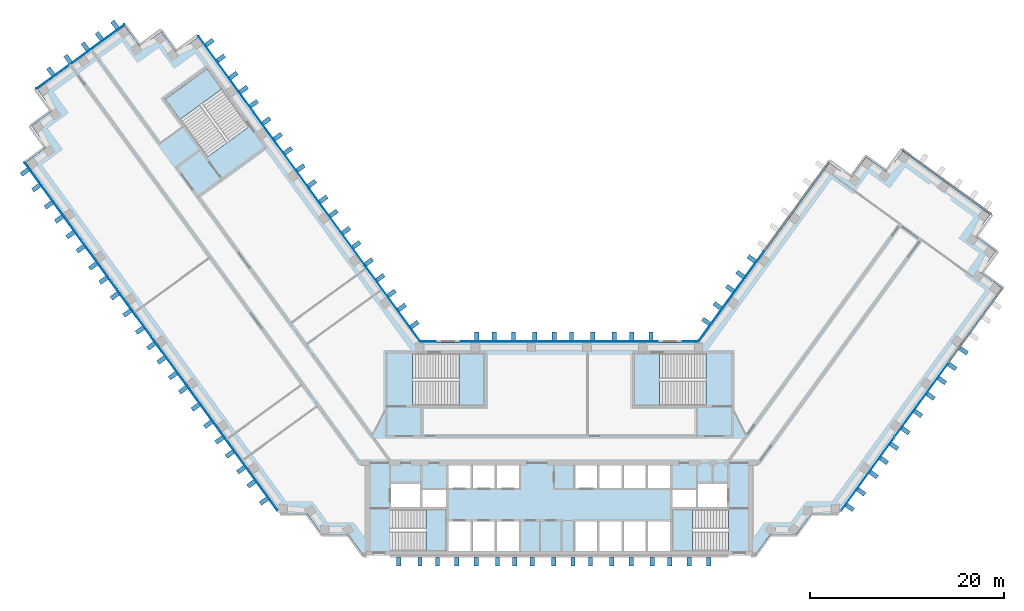
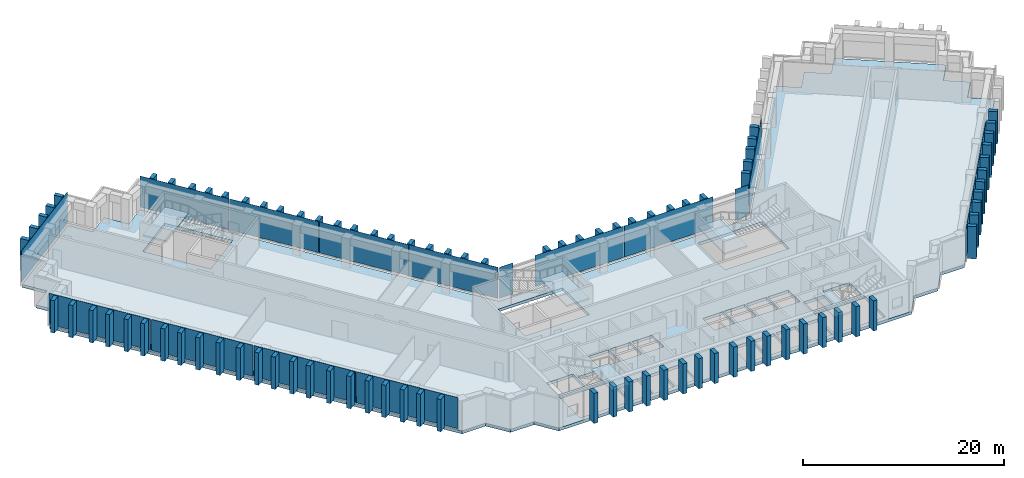
"""IFC4 building model written with IfcOpenShell, lengths in metres."""

from ifc_helpers import new_model, si_unit, direction, frame, origin, origin_2d, place, context, subcontext, project, spatial, polyline, rectangle, outline, extrude, material, layer, layer_set, type_object, element, aggregate, save


model = new_model("IFC4")

# Units and contexts
model_context = context("Model", 3, precision=1e-05, world=origin(), true_north=direction((0.0, 1.0)))
body_context = subcontext(model_context, "Body", "Model", "MODEL_VIEW")
ifc_project = project(units=[si_unit("LENGTHUNIT", "METRE"), si_unit("AREAUNIT", "SQUARE_METRE"), si_unit("VOLUMEUNIT", "CUBIC_METRE"), si_unit("PLANEANGLEUNIT", "RADIAN"), si_unit("MASSUNIT", "GRAM", prefix="KILO")], contexts=[model_context])

# Site, building, storey
site_placement = place(None, origin())
site = spatial("IfcSite", under=ifc_project, at=site_placement, CompositionType="ELEMENT")
building_placement = place(site_placement, origin())
building = spatial("IfcBuilding", under=site, at=building_placement, Name="Quipu Civic Tower", CompositionType="ELEMENT")
storey_1_placement = place(building_placement, frame((0.0, 0.0, 85.0)))
storey_1 = spatial("IfcBuildingStorey", under=building, at=storey_1_placement, Name="L19", CompositionType="ELEMENT", Elevation=85.0)

# Slab
ifc_material_1 = material(Name="Concrete C40/50", Category="concrete")
ifc_layer_1 = layer(ifc_material_1, 0.35009765625)
ifc_layer_set_1 = layer_set([ifc_layer_1], Name="Concrete C40/50")
slab_type_1 = type_object("IfcSlabType", Name="Floor slab 350 C40/50", PredefinedType="FLOOR", material=ifc_layer_set_1)
slab_1_placement = place(storey_1_placement, frame((0.0, 0.0, -0.35009765625)))
element("IfcSlab", 1, at=slab_1_placement, inside=storey_1, type_object=slab_type_1, Name="Floor slab L19", PredefinedType="FLOOR", context=body_context, shape_type="SweptSolid", body=[
    extrude(outline(polyline([(27.909912109375, 29.60498046875), (30.094970703125, 28.014892578125), (31.68505859375, 30.199951171875), (33.864990234375, 28.614990234375), (35.455078125, 30.800048828125), (44.514892578125, 24.215087890625), (42.929931640625, 22.030029296875), (45.114990234375, 20.445068359375), (43.52490234375, 18.260009765625), (45.7099609375, 16.669921875), (28.780029296875, -6.6298828125), (26.080078125, -6.6298828125), (24.489990234375, -8.81494140625), (21.7900390625, -8.81494140625), (20.205078125, -11.0), (-20.205078125, -11.0), (-21.7900390625, -8.81494140625), (-24.489990234375, -8.81494140625), (-26.080078125, -6.6298828125), (-28.780029296875, -6.6298828125), (-55.114990234375, 29.614990234375), (-52.929931640625, 31.205078125), (-54.514892578125, 33.389892578125), (-52.3349609375, 34.97509765625), (-53.919921875, 37.159912109375), (-44.860107421875, 43.739990234375), (-43.27001953125, 41.56005859375), (-41.0849609375, 43.14501953125), (-39.5, 40.9599609375), (-37.31494140625, 42.550048828125), (-14.39501953125, 11.0), (14.39501953125, 11.0), (27.909912109375, 29.60498046875)]), holes=[polyline([(-11.449951171875, -7.5), (-11.449951171875, -10.5), (-9.14990234375, -10.5), (-9.14990234375, -7.5), (-11.449951171875, -7.5)]), polyline([(-8.949951171875, -7.5), (-8.949951171875, -10.5), (-6.64990234375, -10.5), (-6.64990234375, -7.5), (-8.949951171875, -7.5)]), polyline([(-6.449951171875, -7.5), (-6.449951171875, -10.5), (-4.14990234375, -10.5), (-4.14990234375, -7.5), (-6.449951171875, -7.5)]), polyline([(-11.705078125, -10.4951171875), (-11.705078125, -6.2548828125), (-17.4951171875, -6.2548828125), (-17.4951171875, -10.4951171875), (-11.705078125, -10.4951171875)]), polyline([(-11.699951171875, -4.25), (-14.10009765625, -4.25), (-14.10009765625, -6.0), (-11.699951171875, -6.0), (-11.699951171875, -4.25)]), polyline([(-17.35009765625, -3.60009765625), (-17.35009765625, -6.0), (-14.35009765625, -6.0), (-14.35009765625, -3.60009765625), (-17.35009765625, -3.60009765625)]), polyline([(-9.14990234375, -1.699951171875), (-11.449951171875, -1.699951171875), (-11.449951171875, -4.0), (-9.14990234375, -4.0), (-9.14990234375, -1.699951171875)]), polyline([(-6.64990234375, -1.699951171875), (-8.949951171875, -1.699951171875), (-8.949951171875, -4.0), (-6.64990234375, -4.0), (-6.64990234375, -1.699951171875)]), polyline([(-6.449951171875, -1.699951171875), (-6.449951171875, -4.0), (-4.14990234375, -4.0), (-4.14990234375, -1.699951171875), (-6.449951171875, -1.699951171875)]), polyline([(3.949951171875, -1.699951171875), (1.64990234375, -1.699951171875), (1.64990234375, -4.0), (3.949951171875, -4.0), (3.949951171875, -1.699951171875)]), polyline([(-7.7548828125, 4.5048828125), (-7.7548828125, 9.844970703125), (-15.14501953125, 9.844970703125), (-15.14501953125, 4.5048828125), (-7.7548828125, 4.5048828125)]), polyline([(-40.68505859375, 36.135009765625), (-36.344970703125, 30.159912109375), (-32.02490234375, 33.300048828125), (-36.364990234375, 39.27490234375), (-40.68505859375, 36.135009765625)]), polyline([(3.949951171875, -7.5), (1.64990234375, -7.5), (1.64990234375, -10.5), (3.949951171875, -10.5), (3.949951171875, -7.5)]), polyline([(6.449951171875, -7.5), (4.14990234375, -7.5), (4.14990234375, -10.5), (6.449951171875, -10.5), (6.449951171875, -7.5)]), polyline([(6.64990234375, -7.5), (6.64990234375, -10.5), (8.949951171875, -10.5), (8.949951171875, -7.5), (6.64990234375, -7.5)]), polyline([(11.449951171875, -7.5), (9.14990234375, -7.5), (9.14990234375, -10.5), (11.449951171875, -10.5), (11.449951171875, -7.5)]), polyline([(11.705078125, -6.2548828125), (11.705078125, -10.4951171875), (17.4951171875, -10.4951171875), (17.4951171875, -6.2548828125), (11.705078125, -6.2548828125)]), polyline([(11.699951171875, -4.25), (11.699951171875, -6.0), (14.10009765625, -6.0), (14.10009765625, -4.25), (11.699951171875, -4.25)]), polyline([(17.35009765625, -3.60009765625), (14.35009765625, -3.60009765625), (14.35009765625, -6.0), (17.35009765625, -6.0), (17.35009765625, -3.60009765625)]), polyline([(6.449951171875, -1.699951171875), (4.14990234375, -1.699951171875), (4.14990234375, -4.0), (6.449951171875, -4.0), (6.449951171875, -1.699951171875)]), polyline([(6.64990234375, -1.699951171875), (6.64990234375, -4.0), (8.949951171875, -4.0), (8.949951171875, -1.699951171875), (6.64990234375, -1.699951171875)]), polyline([(11.449951171875, -1.699951171875), (9.14990234375, -1.699951171875), (9.14990234375, -4.0), (11.449951171875, -4.0), (11.449951171875, -1.699951171875)]), polyline([(7.7548828125, 9.844970703125), (7.7548828125, 4.5048828125), (15.14501953125, 4.5048828125), (15.14501953125, 9.844970703125), (7.7548828125, 9.844970703125)])]), origin(), (0.0, 0.0, 1.0), 0.35009765625),
])

# Curtain wall, plates
ifc_material_2 = material(Name="Insulated glass unit", Category="glass")
curtain_wall_type = type_object("IfcCurtainWallType", Name="Office curtain wall CW1", PredefinedType="NOTDEFINED", material=ifc_material_2)
curtain_wall_1_placement = place(storey_1_placement, origin())
curtain_wall_1 = element("IfcCurtainWall", 2, at=curtain_wall_1_placement, inside=storey_1, type_object=curtain_wall_type, Name="Office curtain wall CW1 L19 run 1", PredefinedType="NOTDEFINED")
ifc_material_3 = material(Name="Insulated glass unit", Category="glass")
ifc_layer_2 = layer(ifc_material_3, 0.028076171875)
ifc_layer_set_2 = layer_set([ifc_layer_2], Name="Insulated glass unit")
plate_type_1 = type_object("IfcPlateType", Name="Glass panel CW1", PredefinedType="CURTAIN_PANEL", material=ifc_layer_set_2)
plate_1_placement = place(storey_1_placement, frame((31.86669921875, -2.551513671875, 0.240234375), z_axis=(0.0, 0.0, 1.0), x_axis=(0.587785375786, 0.809016904652, 0.0)))
plate_1 = element("IfcPlate", 3, at=plate_1_placement, type_object=plate_type_1, Name="CW1 panel 1.1", PredefinedType="CURTAIN_PANEL", context=body_context, shape_type="SweptSolid", body=[
    extrude(rectangle(XDim=9.403564453125, YDim=0.028076171875, at=origin_2d()), origin(), (0.0, 0.0, 1.0), 3.679931640625),
])
plate_2_placement = place(storey_1_placement, frame((37.45263671875, 5.13720703125, 0.240234375), z_axis=(0.0, 0.0, 1.0), x_axis=(0.587785375786, 0.809016904652, 0.0)))
plate_2 = element("IfcPlate", 4, at=plate_2_placement, type_object=plate_type_1, Name="CW1 panel 2.1", PredefinedType="CURTAIN_PANEL", context=body_context, shape_type="SweptSolid", body=[
    extrude(rectangle(XDim=9.443603515625, YDim=0.028076171875, at=origin_2d()), origin(), (0.0, 0.0, 1.0), 3.679931640625),
])
aggregate(curtain_wall_1, [plate_1, plate_2])

# Storey
storey_2_placement = place(building_placement, frame((0.0, 0.0, 89.0)))
storey_2 = spatial("IfcBuildingStorey", under=building, at=storey_2_placement, Name="L20", CompositionType="ELEMENT", Elevation=89.0)

# Curtain wall, plate
curtain_wall_2_placement = place(storey_2_placement, origin())
curtain_wall_2 = element("IfcCurtainWall", 5, at=curtain_wall_2_placement, inside=storey_2, type_object=curtain_wall_type, Name="Office curtain wall CW1 L19 run 11", PredefinedType="NOTDEFINED")
plate_3_placement = place(storey_1_placement, frame((17.7421875, 15.777099609375, 0.240234375), z_axis=(0.0, 0.0, 1.0), x_axis=(-0.587788727052, -0.809014469803, 0.0)))
plate_3 = element("IfcPlate", 6, at=plate_3_placement, inside=storey_1, type_object=plate_type_1, Name="CW1 panel 2.1", PredefinedType="CURTAIN_PANEL", context=body_context, shape_type="SweptSolid", body=[
    extrude(rectangle(XDim=11.402099609375, YDim=0.028076171875, at=origin_2d()), origin(), (0.0, 0.0, 1.0), 3.760009765625),
])
aggregate(curtain_wall_2, [plate_3])

curtain_wall_3_placement = place(storey_2_placement, origin())
curtain_wall_3 = element("IfcCurtainWall", 7, at=curtain_wall_3_placement, inside=storey_2, type_object=curtain_wall_type, Name="Office curtain wall CW1 L19 run 12", PredefinedType="NOTDEFINED")
plate_4_placement = place(storey_1_placement, frame((13.49951171875, 11.10009765625, 0.240234375), z_axis=(0.0, 0.0, 1.0), x_axis=(-1.0, 0.0, 0.0)))
plate_4 = element("IfcPlate", 8, at=plate_4_placement, inside=storey_1, type_object=plate_type_1, Name="CW1 panel 1.1", PredefinedType="CURTAIN_PANEL", context=body_context, shape_type="SweptSolid", body=[
    extrude(rectangle(XDim=1.529296875, YDim=0.028076171875, at=origin_2d()), origin(), (0.0, 0.0, 1.0), 3.760009765625),
])
aggregate(curtain_wall_3, [plate_4])

# Curtain wall, plates
curtain_wall_4_placement = place(storey_2_placement, origin())
curtain_wall_4 = element("IfcCurtainWall", 9, at=curtain_wall_4_placement, inside=storey_2, type_object=curtain_wall_type, Name="Office curtain wall CW1 L19 run 14", PredefinedType="NOTDEFINED")
plate_5_placement = place(storey_1_placement, frame((5.11181640625, 11.10009765625, 0.240234375), z_axis=(0.0, 0.0, 1.0), x_axis=(-1.0, 0.0, 0.0)))
plate_5 = element("IfcPlate", 10, at=plate_5_placement, inside=storey_1, type_object=plate_type_1, Name="CW1 panel 1.1", PredefinedType="CURTAIN_PANEL", context=body_context, shape_type="SweptSolid", body=[
    extrude(rectangle(XDim=10.1435546875, YDim=0.028076171875, at=origin_2d()), origin(), (0.0, 0.0, 1.0), 3.760009765625),
])
plate_6_placement = place(storey_1_placement, frame((-5.11181640625, 11.10009765625, 0.240234375), z_axis=(0.0, 0.0, 1.0), x_axis=(-1.0, 0.0, 0.0)))
plate_6 = element("IfcPlate", 11, at=plate_6_placement, inside=storey_1, type_object=plate_type_1, Name="CW1 panel 2.1", PredefinedType="CURTAIN_PANEL", context=body_context, shape_type="SweptSolid", body=[
    extrude(rectangle(XDim=10.1435546875, YDim=0.028076171875, at=origin_2d()), origin(), (0.0, 0.0, 1.0), 3.760009765625),
])
aggregate(curtain_wall_4, [plate_5, plate_6])

# Curtain wall, plate
curtain_wall_5_placement = place(storey_2_placement, origin())
curtain_wall_5 = element("IfcCurtainWall", 12, at=curtain_wall_5_placement, inside=storey_2, type_object=curtain_wall_type, Name="Office curtain wall CW1 L19 run 16", PredefinedType="NOTDEFINED")
plate_7_placement = place(storey_1_placement, frame((-13.49951171875, 11.10009765625, 0.240234375), z_axis=(0.0, 0.0, 1.0), x_axis=(-1.0, 0.0, 0.0)))
plate_7 = element("IfcPlate", 13, at=plate_7_placement, inside=storey_1, type_object=plate_type_1, Name="CW1 panel 1.1", PredefinedType="CURTAIN_PANEL", context=body_context, shape_type="SweptSolid", body=[
    extrude(rectangle(XDim=1.529296875, YDim=0.028076171875, at=origin_2d()), origin(), (0.0, 0.0, 1.0), 3.760009765625),
])
aggregate(curtain_wall_5, [plate_7])

# Curtain wall, plates
curtain_wall_6_placement = place(storey_2_placement, origin())
curtain_wall_6 = element("IfcCurtainWall", 14, at=curtain_wall_6_placement, inside=storey_2, type_object=curtain_wall_type, Name="Office curtain wall CW1 L19 run 17", PredefinedType="NOTDEFINED")
plate_8_placement = place(storey_1_placement, frame((-17.224609375, 15.064697265625, 0.240234375), z_axis=(0.0, 0.0, 1.0), x_axis=(-0.587785887566, 0.809016532822, 0.0)))
plate_8 = element("IfcPlate", 15, at=plate_8_placement, inside=storey_1, type_object=plate_type_1, Name="CW1 panel 1.1", PredefinedType="CURTAIN_PANEL", context=body_context, shape_type="SweptSolid", body=[
    extrude(rectangle(XDim=9.64111328125, YDim=0.028076171875, at=origin_2d()), origin(), (0.0, 0.0, 1.0), 3.760009765625),
])
plate_9_placement = place(storey_1_placement, frame((-22.950439453125, 22.9453125, 0.240234375), z_axis=(0.0, 0.0, 1.0), x_axis=(-0.587785887566, 0.809016532822, 0.0)))
plate_9 = element("IfcPlate", 16, at=plate_9_placement, inside=storey_1, type_object=plate_type_1, Name="CW1 panel 2.1", PredefinedType="CURTAIN_PANEL", context=body_context, shape_type="SweptSolid", body=[
    extrude(rectangle(XDim=9.68115234375, YDim=0.028076171875, at=origin_2d()), origin(), (0.0, 0.0, 1.0), 3.760009765625),
])
plate_10_placement = place(storey_1_placement, frame((-28.687744140625, 30.84228515625, 0.240234375), z_axis=(0.0, 0.0, 1.0), x_axis=(-0.587785887566, 0.809016532822, 0.0)))
plate_10 = element("IfcPlate", 17, at=plate_10_placement, inside=storey_1, type_object=plate_type_1, Name="CW1 panel 3.1", PredefinedType="CURTAIN_PANEL", context=body_context, shape_type="SweptSolid", body=[
    extrude(rectangle(XDim=9.68115234375, YDim=0.028076171875, at=origin_2d()), origin(), (0.0, 0.0, 1.0), 3.760009765625),
])
plate_11_placement = place(storey_1_placement, frame((-34.413330078125, 38.722900390625, 0.240234375), z_axis=(0.0, 0.0, 1.0), x_axis=(-0.587785887566, 0.809016532822, 0.0)))
plate_11 = element("IfcPlate", 18, at=plate_11_placement, inside=storey_1, type_object=plate_type_1, Name="CW1 panel 4.1", PredefinedType="CURTAIN_PANEL", context=body_context, shape_type="SweptSolid", body=[
    extrude(rectangle(XDim=9.64111328125, YDim=0.028076171875, at=origin_2d()), origin(), (0.0, 0.0, 1.0), 3.760009765625),
])
aggregate(curtain_wall_6, [plate_8, plate_9, plate_10, plate_11])

# Curtain wall, plate
curtain_wall_7_placement = place(storey_2_placement, origin())
curtain_wall_7 = element("IfcCurtainWall", 19, at=curtain_wall_7_placement, inside=storey_2, type_object=curtain_wall_type, Name="Office curtain wall CW1 L19 run 22", PredefinedType="NOTDEFINED")
plate_12_placement = place(storey_1_placement, frame((-49.447998046875, 40.53173828125, 0.240234375), z_axis=(0.0, 0.0, 1.0), x_axis=(-0.809019348124, -0.587782012621, 0.0)))
plate_12 = element("IfcPlate", 20, at=plate_12_placement, inside=storey_1, type_object=plate_type_1, Name="CW1 panel 1.1", PredefinedType="CURTAIN_PANEL", context=body_context, shape_type="SweptSolid", body=[
    extrude(rectangle(XDim=11.239990234375, YDim=0.028076171875, at=origin_2d()), origin(), (0.0, 0.0, 1.0), 3.760009765625),
])
aggregate(curtain_wall_7, [plate_12])

# Curtain wall, plates
curtain_wall_8_placement = place(storey_2_placement, origin())
curtain_wall_8 = element("IfcCurtainWall", 21, at=curtain_wall_8_placement, inside=storey_2, type_object=curtain_wall_type, Name="Office curtain wall CW1 L19 run 27", PredefinedType="NOTDEFINED")
plate_13_placement = place(storey_1_placement, frame((-51.967529296875, 25.114990234375, 0.240234375), z_axis=(0.0, 0.0, 1.0), x_axis=(0.587785559869, -0.809016770908, 0.0)))
plate_13 = element("IfcPlate", 22, at=plate_13_placement, inside=storey_1, type_object=plate_type_1, Name="CW1 panel 1.1", PredefinedType="CURTAIN_PANEL", context=body_context, shape_type="SweptSolid", body=[
    extrude(rectangle(XDim=11.022705078125, YDim=0.028076171875, at=origin_2d()), origin(), (0.0, 0.0, 1.0), 3.760009765625),
])
plate_14_placement = place(storey_1_placement, frame((-45.4296875, 16.11669921875, 0.240234375), z_axis=(0.0, 0.0, 1.0), x_axis=(0.587785559869, -0.809016770908, 0.0)))
plate_14 = element("IfcPlate", 23, at=plate_14_placement, inside=storey_1, type_object=plate_type_1, Name="CW1 panel 2.1", PredefinedType="CURTAIN_PANEL", context=body_context, shape_type="SweptSolid", body=[
    extrude(rectangle(XDim=11.062744140625, YDim=0.028076171875, at=origin_2d()), origin(), (0.0, 0.0, 1.0), 3.760009765625),
])
plate_15_placement = place(storey_1_placement, frame((-38.880126953125, 7.101806640625, 0.240234375), z_axis=(0.0, 0.0, 1.0), x_axis=(0.587785559869, -0.809016770908, 0.0)))
plate_15 = element("IfcPlate", 24, at=plate_15_placement, inside=storey_1, type_object=plate_type_1, Name="CW1 panel 3.1", PredefinedType="CURTAIN_PANEL", context=body_context, shape_type="SweptSolid", body=[
    extrude(rectangle(XDim=11.062744140625, YDim=0.028076171875, at=origin_2d()), origin(), (0.0, 0.0, 1.0), 3.760009765625),
])
plate_16_placement = place(storey_1_placement, frame((-32.342529296875, -1.896484375, 0.240234375), z_axis=(0.0, 0.0, 1.0), x_axis=(0.587785559869, -0.809016770908, 0.0)))
plate_16 = element("IfcPlate", 25, at=plate_16_placement, inside=storey_1, type_object=plate_type_1, Name="CW1 panel 4.1", PredefinedType="CURTAIN_PANEL", context=body_context, shape_type="SweptSolid", body=[
    extrude(rectangle(XDim=11.022705078125, YDim=0.028076171875, at=origin_2d()), origin(), (0.0, 0.0, 1.0), 3.760009765625),
])
aggregate(curtain_wall_8, [plate_13, plate_14, plate_15, plate_16])

# Plates
ifc_material_4 = material(Name="Precast concrete C40/50", Category="concrete")
plate_type_2 = type_object("IfcPlateType", Name="Precast fin F1", PredefinedType="SHEET", material=ifc_material_4)
for number, where, z_axis, x_axis, name in (
    (26, (30.014404296875, -6.036376953125, 0.080078125), (0.0, 0.0, 1.0), (0.587785620359, 0.809016726959, 0.0), "Precast fin F1 L19.1.1"),
    (27, (31.190185546875, -4.418212890625, 0.080078125), (0.0, 0.0, 1.0), (0.587785620359, 0.809016726959, 0.0), "Precast fin F1 L19.1.2"),
    (28, (32.483154296875, -2.638427734375, 0.080078125), (0.0, 0.0, 1.0), (0.587785620359, 0.809016726959, 0.0), "Precast fin F1 L19.1.3"),
    (29, (33.541259765625, -1.18212890625, 0.080078125), (0.0, 0.0, 1.0), (0.587785620359, 0.809016726959, 0.0), "Precast fin F1 L19.1.4"),
    (30, (34.59912109375, 0.27392578125, 0.080078125), (0.0, 0.0, 1.0), (0.587785620359, 0.809016726959, 0.0), "Precast fin F1 L19.1.5"),
    (31, (35.77490234375, 1.89208984375, 0.080078125), (0.0, 0.0, 1.0), (0.587785620359, 0.809016726959, 0.0), "Precast fin F1 L19.1.6"),
    (32, (37.06787109375, 3.671875, 0.080078125), (0.0, 0.0, 1.0), (0.587785620359, 0.809016726959, 0.0), "Precast fin F1 L19.1.7"),
    (33, (38.361083984375, 5.45166015625, 0.080078125), (0.0, 0.0, 1.0), (0.587785620359, 0.809016726959, 0.0), "Precast fin F1 L19.1.8"),
    (34, (39.53662109375, 7.06982421875, 0.080078125), (0.0, 0.0, 1.0), (0.587785620359, 0.809016726959, 0.0), "Precast fin F1 L19.1.9"),
    (35, (40.5947265625, 8.52587890625, 0.080078125), (0.0, 0.0, 1.0), (0.587785620359, 0.809016726959, 0.0), "Precast fin F1 L19.1.10"),
    (36, (41.770263671875, 10.14404296875, 0.080078125), (0.0, 0.0, 1.0), (0.587785620359, 0.809016726959, 0.0), "Precast fin F1 L19.1.11"),
    (37, (19.876708984375, 19.650390625, 0.080078125), (0.0, 0.0, 1.0), (-0.587787133119, -0.809015627871, 0.0), "Precast fin F1 L19.11.7"),
    (38, (18.701171875, 18.032470703125, 0.080078125), (0.0, 0.0, 1.0), (-0.587787133119, -0.809015627871, 0.0), "Precast fin F1 L19.11.8"),
    (39, (17.64306640625, 16.576171875, 0.080078125), (0.0, 0.0, 1.0), (-0.587787133119, -0.809015627871, 0.0), "Precast fin F1 L19.11.9"),
    (40, (16.349853515625, 14.79638671875, 0.080078125), (0.0, 0.0, 1.0), (-0.587787133119, -0.809015627871, 0.0), "Precast fin F1 L19.11.10"),
    (41, (15.17431640625, 13.17822265625, 0.080078125), (0.0, 0.0, 1.0), (-0.587787133119, -0.809015627871, 0.0), "Precast fin F1 L19.11.11"),
    (42, (9.47509765625, 11.64990234375, 0.080078125), (0.0, 0.0, 1.0), (-1.0, 0.0, 0.0), "Precast fin F1 L19.14.1"),
    (43, (7.47509765625, 11.64990234375, 0.080078125), (0.0, 0.0, 1.0), (-1.0, 0.0, 0.0), "Precast fin F1 L19.14.2"),
    (44, (5.675048828125, 11.64990234375, 0.080078125), (0.0, 0.0, 1.0), (-1.0, 0.0, 0.0), "Precast fin F1 L19.14.3"),
    (45, (3.47509765625, 11.64990234375, 0.080078125), (0.0, 0.0, 1.0), (-1.0, 0.0, 0.0), "Precast fin F1 L19.14.4"),
    (46, (1.27490234375, 11.64990234375, 0.080078125), (0.0, 0.0, 1.0), (-1.0, 0.0, 0.0), "Precast fin F1 L19.14.5"),
    (47, (-0.52490234375, 11.64990234375, 0.080078125), (0.0, 0.0, 1.0), (-1.0, 0.0, 0.0), "Precast fin F1 L19.14.6"),
    (48, (-2.52490234375, 11.64990234375, 0.080078125), (0.0, 0.0, 1.0), (-1.0, 0.0, 0.0), "Precast fin F1 L19.14.7"),
    (49, (-4.72509765625, 11.64990234375, 0.080078125), (0.0, 0.0, 1.0), (-1.0, 0.0, 0.0), "Precast fin F1 L19.14.8"),
    (50, (-6.72509765625, 11.64990234375, 0.080078125), (0.0, 0.0, 1.0), (-1.0, 0.0, 0.0), "Precast fin F1 L19.14.9"),
    (51, (-8.52490234375, 11.64990234375, 0.080078125), (0.0, 0.0, 1.0), (-1.0, 0.0, 0.0), "Precast fin F1 L19.14.10"),
    (52, (-14.942138671875, 12.8583984375, 0.080078125), (0.0, 0.0, 1.0), (-0.587784944053, 0.809017218324, 0.0), "Precast fin F1 L19.17.1"),
    (53, (-16.235107421875, 14.638427734375, 0.080078125), (0.0, 0.0, 1.0), (-0.587784944053, 0.809017218324, 0.0), "Precast fin F1 L19.17.2"),
    (54, (-17.293212890625, 16.094482421875, 0.080078125), (0.0, 0.0, 1.0), (-0.587784944053, 0.809017218324, 0.0), "Precast fin F1 L19.17.3"),
    (55, (-18.46875, 17.712646484375, 0.080078125), (0.0, 0.0, 1.0), (-0.587784944053, 0.809017218324, 0.0), "Precast fin F1 L19.17.4"),
    (56, (-19.644287109375, 19.33056640625, 0.080078125), (0.0, 0.0, 1.0), (-0.587784944053, 0.809017218324, 0.0), "Precast fin F1 L19.17.5"),
    (57, (-20.9375, 21.110595703125, 0.080078125), (0.0, 0.0, 1.0), (-0.587784944053, 0.809017218324, 0.0), "Precast fin F1 L19.17.6"),
    (58, (-21.995361328125, 22.566650390625, 0.080078125), (0.0, 0.0, 1.0), (-0.587784944053, 0.809017218324, 0.0), "Precast fin F1 L19.17.7"),
    (59, (-23.28857421875, 24.3466796875, 0.080078125), (0.0, 0.0, 1.0), (-0.587784944053, 0.809017218324, 0.0), "Precast fin F1 L19.17.8"),
    (60, (-24.3466796875, 25.802734375, 0.080078125), (0.0, 0.0, 1.0), (-0.587784944053, 0.809017218324, 0.0), "Precast fin F1 L19.17.9"),
    (61, (-25.522216796875, 27.4208984375, 0.080078125), (0.0, 0.0, 1.0), (-0.587784944053, 0.809017218324, 0.0), "Precast fin F1 L19.17.10"),
    (62, (-26.69775390625, 29.038818359375, 0.080078125), (0.0, 0.0, 1.0), (-0.587784944053, 0.809017218324, 0.0), "Precast fin F1 L19.17.11"),
    (63, (-27.990966796875, 30.818603515625, 0.080078125), (0.0, 0.0, 1.0), (-0.587784944053, 0.809017218324, 0.0), "Precast fin F1 L19.17.12"),
    (64, (-29.048828125, 32.27490234375, 0.080078125), (0.0, 0.0, 1.0), (-0.587784944053, 0.809017218324, 0.0), "Precast fin F1 L19.17.13"),
    (65, (-30.224365234375, 33.89306640625, 0.080078125), (0.0, 0.0, 1.0), (-0.587784944053, 0.809017218324, 0.0), "Precast fin F1 L19.17.14"),
    (66, (-31.517578125, 35.6728515625, 0.080078125), (0.0, 0.0, 1.0), (-0.587784944053, 0.809017218324, 0.0), "Precast fin F1 L19.17.15"),
    (67, (-32.57568359375, 37.129150390625, 0.080078125), (0.0, 0.0, 1.0), (-0.587784944053, 0.809017218324, 0.0), "Precast fin F1 L19.17.16"),
    (68, (-33.633544921875, 38.585205078125, 0.080078125), (0.0, 0.0, 1.0), (-0.587784944053, 0.809017218324, 0.0), "Precast fin F1 L19.17.17"),
    (69, (-34.9267578125, 40.364990234375, 0.080078125), (0.0, 0.0, 1.0), (-0.587784944053, 0.809017218324, 0.0), "Precast fin F1 L19.17.18"),
    (70, (-36.102294921875, 41.983154296875, 0.080078125), (0.0, 0.0, 1.0), (-0.587784944053, 0.809017218324, 0.0), "Precast fin F1 L19.17.19"),
    (71, (-45.867919921875, 43.812744140625, 0.080078125), (0.0, 0.0, 1.0), (-0.809021318545, -0.587779300537, 0.0), "Precast fin F1 L19.22.1"),
    (72, (-47.48583984375, 42.63720703125, 0.080078125), (0.0, 0.0, 1.0), (-0.809021318545, -0.587779300537, 0.0), "Precast fin F1 L19.22.2"),
    (73, (-48.942138671875, 41.5791015625, 0.080078125), (0.0, 0.0, 1.0), (-0.809021318545, -0.587779300537, 0.0), "Precast fin F1 L19.22.3"),
    (74, (-50.721923828125, 40.2861328125, 0.080078125), (0.0, 0.0, 1.0), (-0.809021318545, -0.587779300537, 0.0), "Precast fin F1 L19.22.4"),
    (75, (-52.501708984375, 38.992919921875, 0.080078125), (0.0, 0.0, 1.0), (-0.809021318545, -0.587779300537, 0.0), "Precast fin F1 L19.22.5"),
    (76, (-55.184814453125, 28.607421875, 0.080078125), (0.0, 0.0, 1.0), (0.587785716149, -0.809016657363, 0.0), "Precast fin F1 L19.27.1"),
    (77, (-54.00927734375, 26.989501953125, 0.080078125), (0.0, 0.0, 1.0), (0.587785716149, -0.809016657363, 0.0), "Precast fin F1 L19.27.2"),
    (78, (-52.716064453125, 25.20947265625, 0.080078125), (0.0, 0.0, 1.0), (0.587785716149, -0.809016657363, 0.0), "Precast fin F1 L19.27.3"),
    (79, (-51.657958984375, 23.75341796875, 0.080078125), (0.0, 0.0, 1.0), (0.587785716149, -0.809016657363, 0.0), "Precast fin F1 L19.27.4"),
    (80, (-50.482421875, 22.13525390625, 0.080078125), (0.0, 0.0, 1.0), (0.587785716149, -0.809016657363, 0.0), "Precast fin F1 L19.27.5"),
    (81, (-49.42431640625, 20.67919921875, 0.080078125), (0.0, 0.0, 1.0), (0.587785716149, -0.809016657363, 0.0), "Precast fin F1 L19.27.6"),
    (82, (-48.13134765625, 18.899169921875, 0.080078125), (0.0, 0.0, 1.0), (0.587785716149, -0.809016657363, 0.0), "Precast fin F1 L19.27.7"),
    (83, (-47.0732421875, 17.443115234375, 0.080078125), (0.0, 0.0, 1.0), (0.587785716149, -0.809016657363, 0.0), "Precast fin F1 L19.27.8"),
    (84, (-45.897705078125, 15.824951171875, 0.080078125), (0.0, 0.0, 1.0), (0.587785716149, -0.809016657363, 0.0), "Precast fin F1 L19.27.9"),
    (85, (-44.6044921875, 14.045166015625, 0.080078125), (0.0, 0.0, 1.0), (0.587785716149, -0.809016657363, 0.0), "Precast fin F1 L19.27.10"),
    (86, (-43.3115234375, 12.265380859375, 0.080078125), (0.0, 0.0, 1.0), (0.587785716149, -0.809016657363, 0.0), "Precast fin F1 L19.27.11"),
    (87, (-42.135986328125, 10.647216796875, 0.080078125), (0.0, 0.0, 1.0), (0.587785716149, -0.809016657363, 0.0), "Precast fin F1 L19.27.12"),
    (88, (-41.077880859375, 9.191162109375, 0.080078125), (0.0, 0.0, 1.0), (0.587785716149, -0.809016657363, 0.0), "Precast fin F1 L19.27.13"),
    (89, (-39.90234375, 7.572998046875, 0.080078125), (0.0, 0.0, 1.0), (0.587785716149, -0.809016657363, 0.0), "Precast fin F1 L19.27.14"),
    (90, (-38.84423828125, 6.11669921875, 0.080078125), (0.0, 0.0, 1.0), (0.587785716149, -0.809016657363, 0.0), "Precast fin F1 L19.27.15"),
    (91, (-37.55126953125, 4.3369140625, 0.080078125), (0.0, 0.0, 1.0), (0.587785716149, -0.809016657363, 0.0), "Precast fin F1 L19.27.16"),
    (92, (-36.258056640625, 2.55712890625, 0.080078125), (0.0, 0.0, 1.0), (0.587785716149, -0.809016657363, 0.0), "Precast fin F1 L19.27.17"),
    (93, (-35.08251953125, 0.93896484375, 0.080078125), (0.0, 0.0, 1.0), (0.587785716149, -0.809016657363, 0.0), "Precast fin F1 L19.27.18"),
    (94, (-34.0244140625, -0.51708984375, 0.080078125), (0.0, 0.0, 1.0), (0.587785716149, -0.809016657363, 0.0), "Precast fin F1 L19.27.19"),
    (95, (-32.848876953125, -2.13525390625, 0.080078125), (0.0, 0.0, 1.0), (0.587785716149, -0.809016657363, 0.0), "Precast fin F1 L19.27.20"),
    (96, (-31.790771484375, -3.59130859375, 0.080078125), (0.0, 0.0, 1.0), (0.587785716149, -0.809016657363, 0.0), "Precast fin F1 L19.27.21"),
    (97, (-30.497802734375, -5.371337890625, 0.080078125), (0.0, 0.0, 1.0), (0.587785716149, -0.809016657363, 0.0), "Precast fin F1 L19.27.22"),
):
    element("IfcPlate", number, at=place(storey_1_placement, frame(where, z_axis=z_axis, x_axis=x_axis)), inside=storey_1, type_object=plate_type_2, Name=name, PredefinedType="SHEET", context=body_context, shape_type="SweptSolid", body=[
        extrude(rectangle(XDim=0.449951171875, YDim=0.89990234375, at=origin_2d()), origin(), (0.0, 0.0, 1.0), 3.919921875),
    ])
for number, where, z_axis, x_axis, name in (
    (98, (-16.574951171875, -11.637939453125, 0.0), (0.0, 0.0, 1.0), (1.0, 0.0, 0.0), "Precast fin F1 L19.33.1"),
    (99, (-14.375, -11.637939453125, 0.0), (0.0, 0.0, 1.0), (1.0, 0.0, 0.0), "Precast fin F1 L19.33.2"),
    (100, (-12.574951171875, -11.637939453125, 0.0), (0.0, 0.0, 1.0), (1.0, 0.0, 0.0), "Precast fin F1 L19.33.3"),
    (101, (-10.574951171875, -11.637939453125, 0.0), (0.0, 0.0, 1.0), (1.0, 0.0, 0.0), "Precast fin F1 L19.33.4"),
    (102, (-8.574951171875, -11.637939453125, 0.0), (0.0, 0.0, 1.0), (1.0, 0.0, 0.0), "Precast fin F1 L19.33.5"),
    (103, (-6.375, -11.637939453125, 0.0), (0.0, 0.0, 1.0), (1.0, 0.0, 0.0), "Precast fin F1 L19.33.6"),
    (104, (-4.574951171875, -11.637939453125, 0.0), (0.0, 0.0, 1.0), (1.0, 0.0, 0.0), "Precast fin F1 L19.33.7"),
    (105, (-2.77490234375, -11.637939453125, 0.0), (0.0, 0.0, 1.0), (1.0, 0.0, 0.0), "Precast fin F1 L19.33.8"),
    (106, (-0.574951171875, -11.637939453125, 0.0), (0.0, 0.0, 1.0), (1.0, 0.0, 0.0), "Precast fin F1 L19.33.9"),
    (107, (1.425048828125, -11.637939453125, 0.0), (0.0, 0.0, 1.0), (1.0, 0.0, 0.0), "Precast fin F1 L19.33.10"),
    (108, (3.22509765625, -11.637939453125, 0.0), (0.0, 0.0, 1.0), (1.0, 0.0, 0.0), "Precast fin F1 L19.33.11"),
    (109, (5.425048828125, -11.637939453125, 0.0), (0.0, 0.0, 1.0), (1.0, 0.0, 0.0), "Precast fin F1 L19.33.12"),
    (110, (7.425048828125, -11.637939453125, 0.0), (0.0, 0.0, 1.0), (1.0, 0.0, 0.0), "Precast fin F1 L19.33.13"),
    (111, (9.625, -11.637939453125, 0.0), (0.0, 0.0, 1.0), (1.0, 0.0, 0.0), "Precast fin F1 L19.33.14"),
    (112, (11.425048828125, -11.637939453125, 0.0), (0.0, 0.0, 1.0), (1.0, 0.0, 0.0), "Precast fin F1 L19.33.15"),
    (113, (13.425048828125, -11.637939453125, 0.0), (0.0, 0.0, 1.0), (1.0, 0.0, 0.0), "Precast fin F1 L19.33.16"),
    (114, (15.425048828125, -11.637939453125, 0.0), (0.0, 0.0, 1.0), (1.0, 0.0, 0.0), "Precast fin F1 L19.33.17"),
):
    element("IfcPlate", number, at=place(storey_1_placement, frame(where, z_axis=z_axis, x_axis=x_axis)), inside=storey_1, type_object=plate_type_2, Name=name, PredefinedType="SHEET", context=body_context, shape_type="SweptSolid", body=[
        extrude(rectangle(XDim=0.449951171875, YDim=0.89990234375, at=origin_2d()), origin(), (0.0, 0.0, 1.0), 3.64990234375),
    ])

# Stair, slab
ifc_material_5 = material(Name="Concrete C40/50", Category="concrete")
stair_type_1 = type_object("IfcStairType", Name="Half turn stair 2000", PredefinedType="HALF_TURN_STAIR", material=ifc_material_5)
stair_1_placement = place(storey_1_placement, origin())
stair_1 = element("IfcStair", 115, at=stair_1_placement, inside=storey_1, type_object=stair_type_1, Name="Exit stair 1", PredefinedType="HALF_TURN_STAIR")
ifc_material_6 = material(Name="Concrete C40/50", Category="concrete")
ifc_layer_3 = layer(ifc_material_6, 0.199951171875)
ifc_layer_set_3 = layer_set([ifc_layer_3], Name="Concrete C40/50")
slab_type_2 = type_object("IfcSlabType", Name="Stair landing 200", PredefinedType="LANDING", material=ifc_layer_set_3)
slab_2_placement = place(storey_1_placement, frame((0.0, 0.0, 1.800048828125)))
slab_2 = element("IfcSlab", 116, at=slab_2_placement, type_object=slab_type_2, Name="ST-1 landing 1", PredefinedType="LANDING", context=body_context, shape_type="SweptSolid", body=[
    extrude(outline(polyline([(-13.780029296875, -10.5), (-11.699951171875, -10.5), (-11.699951171875, -6.25), (-13.780029296875, -6.25), (-13.780029296875, -10.5)])), origin(), (0.0, 0.0, 1.0), 0.199951171875),
])
aggregate(stair_1, [slab_2])

stair_2_placement = place(storey_1_placement, origin())
stair_2 = element("IfcStair", 117, at=stair_2_placement, inside=storey_1, type_object=stair_type_1, Name="Exit stair 2", PredefinedType="HALF_TURN_STAIR")
slab_3_placement = place(storey_1_placement, frame((0.0, 0.0, 1.800048828125)))
slab_3 = element("IfcSlab", 118, at=slab_3_placement, type_object=slab_type_2, Name="ST-2 landing 1", PredefinedType="LANDING", context=body_context, shape_type="SweptSolid", body=[
    extrude(outline(polyline([(13.780029296875, -6.25), (11.699951171875, -6.25), (11.699951171875, -10.5), (13.780029296875, -10.5), (13.780029296875, -6.25)])), origin(), (0.0, 0.0, 1.0), 0.199951171875),
])
aggregate(stair_2, [slab_3])

ifc_material_7 = material(Name="Concrete C40/50", Category="concrete")
stair_type_2 = type_object("IfcStairType", Name="Half turn stair 2600", PredefinedType="HALF_TURN_STAIR", material=ifc_material_7)
stair_3_placement = place(storey_1_placement, origin())
stair_3 = element("IfcStair", 119, at=stair_3_placement, inside=storey_1, type_object=stair_type_2, Name="Exit stair 3", PredefinedType="HALF_TURN_STAIR")
slab_4_placement = place(storey_1_placement, frame((0.0, 0.0, 1.800048828125)))
slab_4 = element("IfcSlab", 120, at=slab_4_placement, type_object=slab_type_2, Name="ST-3 landing 1", PredefinedType="LANDING", context=body_context, shape_type="SweptSolid", body=[
    extrude(outline(polyline([(-10.35009765625, 4.5), (-7.75, 4.5), (-7.75, 9.85009765625), (-10.35009765625, 9.85009765625), (-10.35009765625, 4.5)])), origin(), (0.0, 0.0, 1.0), 0.199951171875),
])
aggregate(stair_3, [slab_4])

stair_4_placement = place(storey_1_placement, origin())
stair_4 = element("IfcStair", 121, at=stair_4_placement, inside=storey_1, type_object=stair_type_2, Name="Exit stair 4", PredefinedType="HALF_TURN_STAIR")
slab_5_placement = place(storey_1_placement, frame((0.0, 0.0, 1.800048828125)))
slab_5 = element("IfcSlab", 122, at=slab_5_placement, type_object=slab_type_2, Name="ST-4 landing 1", PredefinedType="LANDING", context=body_context, shape_type="SweptSolid", body=[
    extrude(outline(polyline([(10.35009765625, 9.85009765625), (7.75, 9.85009765625), (7.75, 4.5), (10.35009765625, 4.5), (10.35009765625, 9.85009765625)])), origin(), (0.0, 0.0, 1.0), 0.199951171875),
])
aggregate(stair_4, [slab_5])

stair_5_placement = place(storey_1_placement, origin())
stair_5 = element("IfcStair", 123, at=stair_5_placement, inside=storey_1, type_object=stair_type_2, Name="Exit stair 6", PredefinedType="HALF_TURN_STAIR")
slab_6_placement = place(storey_1_placement, frame((0.0, 0.0, 1.800048828125)))
slab_6 = element("IfcSlab", 124, at=slab_6_placement, type_object=slab_type_2, Name="ST-6 landing 1", PredefinedType="LANDING", context=body_context, shape_type="SweptSolid", body=[
    extrude(outline(polyline([(-34.837158203125, 37.179443359375), (-36.365478515625, 39.282958984375), (-40.69384765625, 36.138427734375), (-39.16552734375, 34.034912109375), (-34.837158203125, 37.179443359375)])), origin(), (0.0, 0.0, 1.0), 0.199951171875),
])
aggregate(stair_5, [slab_6])

save(model, "model.ifc")
